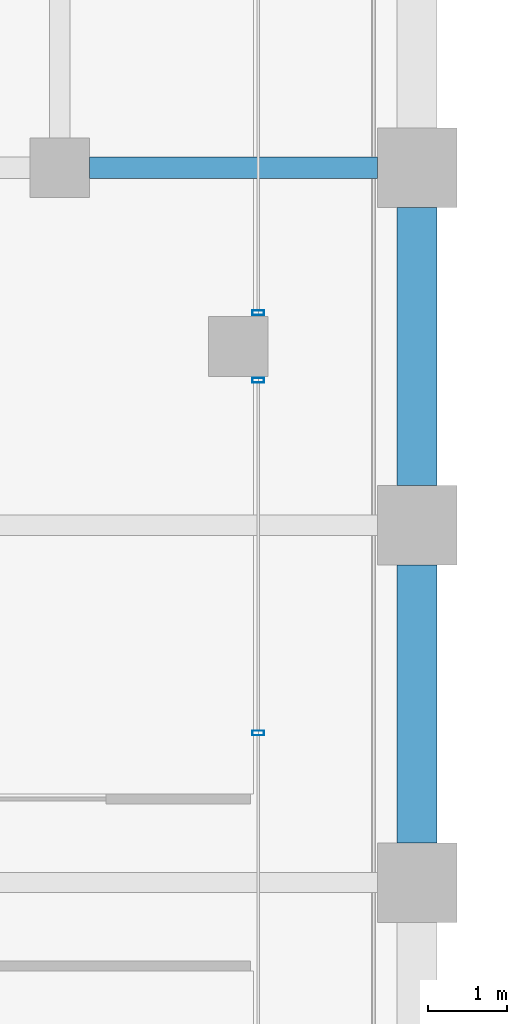
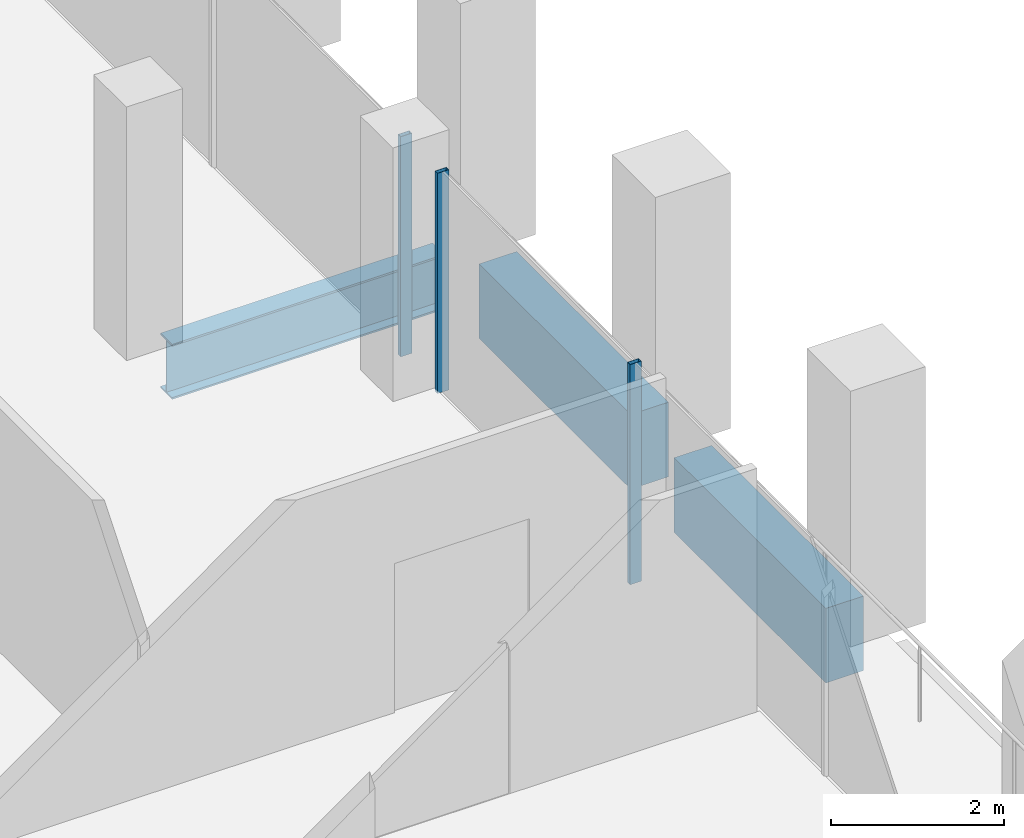
# One storey, part 19 of 46: 3 beams, 3 members, 2 elements without a shape of their own.
"""IFC4 building model written with IfcOpenShell, lengths in metres."""

from ifc_helpers import new_model, si_unit, direction, frame, origin, origin_2d, place, context, subcontext, project, spatial, rectangle, hollow_rectangle, i_section, extrude, material, material_profile, profile_set, type_object, element, aggregate, save


model = new_model("IFC4")

# Units and contexts
model_context = context("Model", 3, precision=1e-05, world=origin(), true_north=direction((0.0, 1.0)))
body_context = subcontext(model_context, "Body", "Model", "MODEL_VIEW")
ifc_project = project(units=[si_unit("LENGTHUNIT", "METRE"), si_unit("AREAUNIT", "SQUARE_METRE"), si_unit("VOLUMEUNIT", "CUBIC_METRE"), si_unit("PLANEANGLEUNIT", "RADIAN"), si_unit("MASSUNIT", "GRAM", prefix="KILO")], contexts=[model_context])

# Site, building, storey
site_placement = place(None, origin())
site = spatial("IfcSite", under=ifc_project, at=site_placement, CompositionType="ELEMENT")
building_placement = place(site_placement, origin())
building = spatial("IfcBuilding", under=site, at=building_placement, Name="Altepetl Exchange Towers", CompositionType="ELEMENT")
storey_placement = place(building_placement, frame((0.0, 0.0, 102.800048828125)))
storey = spatial("IfcBuildingStorey", under=building, at=storey_placement, Name="L25", CompositionType="ELEMENT", Elevation=102.800048828125)

# Beam
ifc_material_1 = material(Name="Steel S355", Category="steel")
ifc_material_profile_1 = material_profile(ifc_material_1, i_section(OverallWidth=0.26806640625, OverallDepth=0.77392578125, WebThickness=0.015380859375, FlangeThickness=0.025390625, at=origin_2d()), Name="W30X132")
ifc_profile_set_1 = profile_set([ifc_material_profile_1], Name="Steel S355")
beam_type_1 = type_object("IfcBeamType", Name="Girder W30X132", PredefinedType="BEAM", material=ifc_profile_set_1)
beam_placement = place(storey_placement, frame((67.875, 58.5, -0.537109375), z_axis=(1.0, 0.0, 0.0), x_axis=(0.0, 1.0, 0.0)))
element("IfcBeam", 1, at=beam_placement, inside=storey, type_object=beam_type_1, Name="gd:A:L25:002", PredefinedType="BEAM", context=body_context, shape_type="SweptSolid", body=[
    extrude(i_section(OverallWidth=0.26806640625, OverallDepth=0.77392578125, WebThickness=0.015380859375, FlangeThickness=0.025390625, at=origin_2d()), origin(), (0.0, 0.0, 1.0), 3.625),
])

# Curtain wall, members
ifc_material_2 = material(Name="Aluminium 6063-T6 glazing", Category="aluminium")
curtain_wall_type = type_object("IfcCurtainWallType", Name="Loggia glazing system", PredefinedType="NOTDEFINED", material=ifc_material_2)
curtain_wall_1_placement = place(storey_placement, origin())
curtain_wall_1 = element("IfcCurtainWall", 2, at=curtain_wall_1_placement, inside=storey, type_object=curtain_wall_type, Name="CW1 run", PredefinedType="NOTDEFINED")
ifc_material_3 = material(Name="Aluminium 6063-T6", Category="aluminium")
ifc_material_profile_2 = material_profile(ifc_material_3, hollow_rectangle(XDim=0.06005859375, YDim=0.14990234375, WallThickness=0.0029296875, at=origin_2d()), Name="Mullion 60x150 aluminium")
ifc_profile_set_2 = profile_set([ifc_material_profile_2], Name="Aluminium 6063-T6")
member_type = type_object("IfcMemberType", Name="Mullion 60x150 aluminium", PredefinedType="MULLION", material=ifc_profile_set_2)
member_1_placement = place(storey_placement, frame((70.0, 51.384033203125, 0.0), z_axis=(0.0, 0.0, 1.0), x_axis=(0.0, 1.0, 0.0)))
member_1 = element("IfcMember", 3, at=member_1_placement, type_object=member_type, Name="MU1 mullion", PredefinedType="MULLION", context=body_context, shape_type="SweptSolid", body=[
    extrude(hollow_rectangle(XDim=0.06005859375, YDim=0.14990234375, WallThickness=0.0029296875, at=origin_2d()), origin(), (0.0, 0.0, 1.0), 3.099853515625),
])
member_2_placement = place(storey_placement, frame((70.0, 55.824951171875, 0.0), z_axis=(0.0, 0.0, 1.0), x_axis=(0.0, 1.0, 0.0)))
member_2 = element("IfcMember", 4, at=member_2_placement, type_object=member_type, Name="MU1 mullion", PredefinedType="MULLION", context=body_context, shape_type="SweptSolid", body=[
    extrude(hollow_rectangle(XDim=0.06005859375, YDim=0.14990234375, WallThickness=0.0029296875, at=origin_2d()), origin(), (0.0, 0.0, 1.0), 3.099853515625),
])
aggregate(curtain_wall_1, [member_1, member_2])

# Curtain wall, member
curtain_wall_2_placement = place(storey_placement, origin())
curtain_wall_2 = element("IfcCurtainWall", 5, at=curtain_wall_2_placement, inside=storey, type_object=curtain_wall_type, Name="CW1 run", PredefinedType="NOTDEFINED")
member_3_placement = place(storey_placement, frame((70.0, 56.675048828125, 0.0), z_axis=(0.0, 0.0, 1.0), x_axis=(0.0, 1.0, 0.0)))
member_3 = element("IfcMember", 6, at=member_3_placement, type_object=member_type, Name="MU1 mullion", PredefinedType="MULLION", context=body_context, shape_type="SweptSolid", body=[
    extrude(hollow_rectangle(XDim=0.06005859375, YDim=0.14990234375, WallThickness=0.0029296875, at=origin_2d()), origin(), (0.0, 0.0, 1.0), 3.099853515625),
])
aggregate(curtain_wall_2, [member_3])

# Beams
ifc_material_4 = material(Name="Concrete C50/60 precast with cantera amarilla facing", Category="concrete")
ifc_material_profile_3 = material_profile(ifc_material_4, rectangle(XDim=0.5, YDim=1.050048828125, at=origin_2d()), Name="500 x 1050")
ifc_profile_set_3 = profile_set([ifc_material_profile_3], Name="Concrete C50/60 precast with cantera amarilla facing")
beam_type_2 = type_object("IfcBeamType", Name="Spandrel beam 500x1050 cantera amarilla", PredefinedType="SPANDREL", material=ifc_profile_set_3)
for number, where, z_axis, x_axis, name in (
    (7, (72.0, 50.0, -0.675048828125), (0.0, 1.0, 0.0), (-1.0, 0.0, 0.0), "sp:A:L25:016"),
    (8, (72.0, 54.5, -0.675048828125), (0.0, 1.0, 0.0), (-1.0, 0.0, 0.0), "sp:A:L25:017"),
):
    element("IfcBeam", number, at=place(storey_placement, frame(where, z_axis=z_axis, x_axis=x_axis)), inside=storey, type_object=beam_type_2, Name=name, PredefinedType="SPANDREL", context=body_context, shape_type="SweptSolid", body=[
        extrude(rectangle(XDim=0.5, YDim=1.050048828125, at=origin_2d()), origin(), (0.0, 0.0, 1.0), 3.5),
    ])

save(model, "model.ifc")
